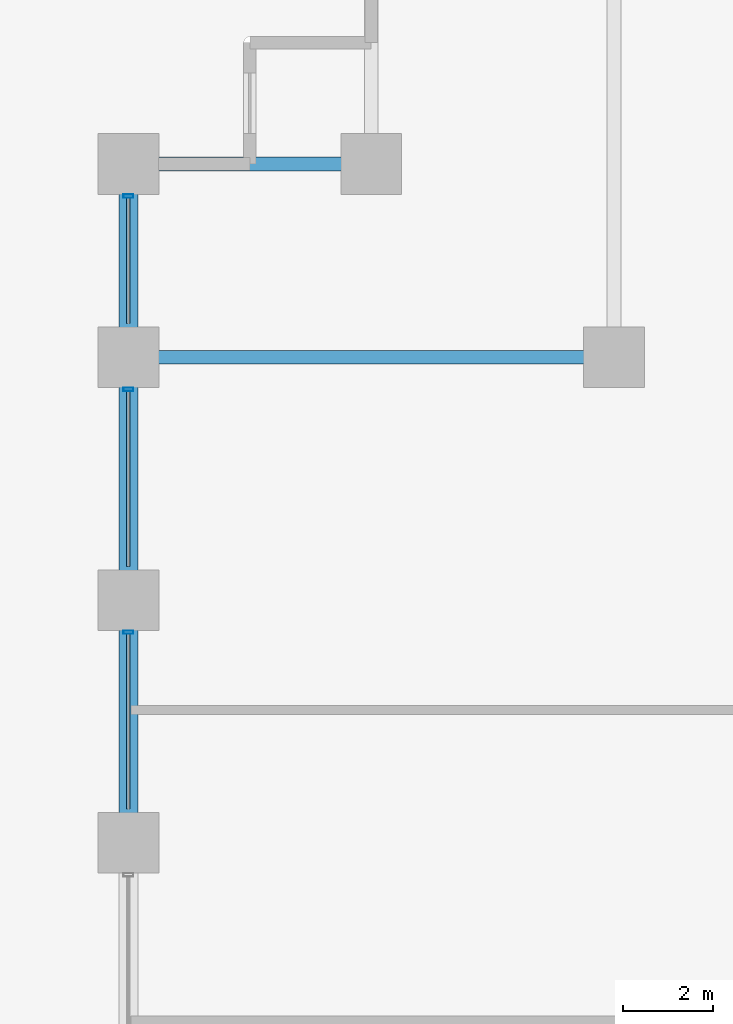
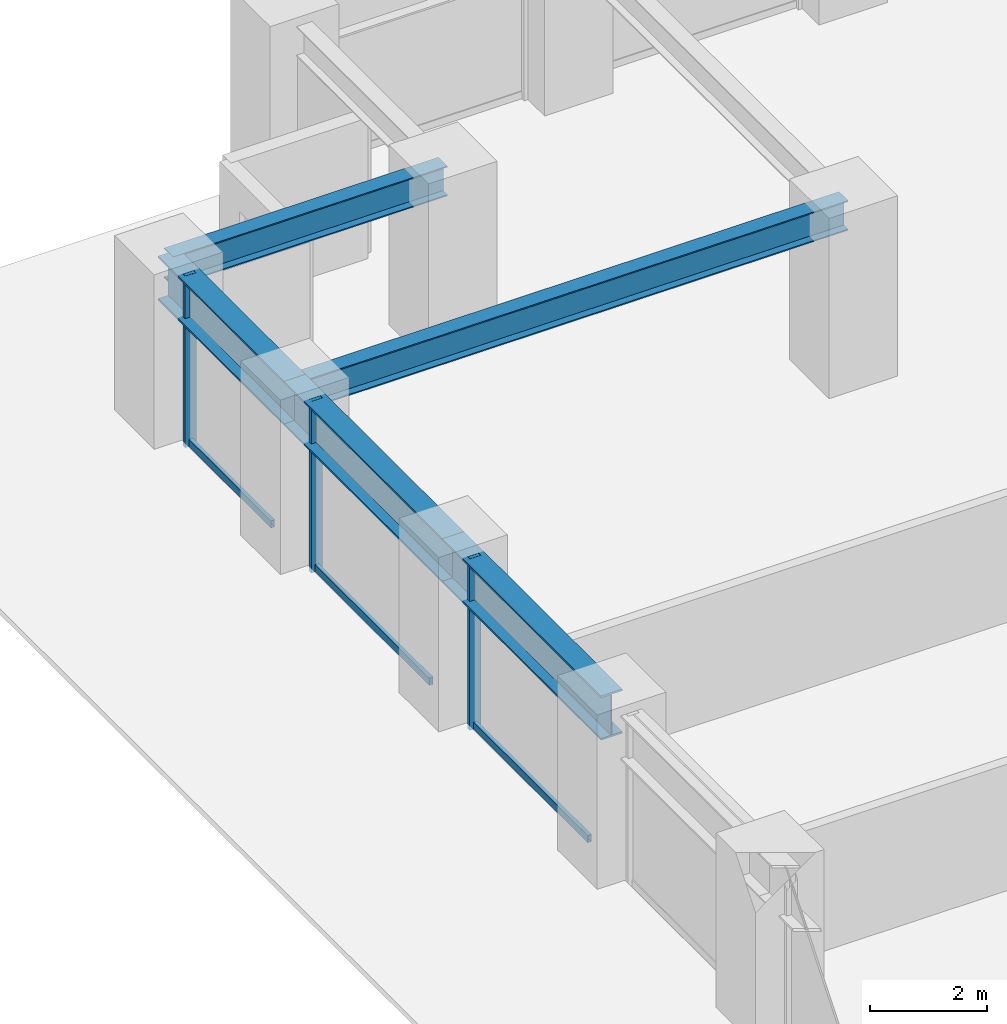
# One storey, part 10 of 27: 6 members, 5 beams, 1 element without a shape of its own.
"""IFC4 building model written with IfcOpenShell, lengths in metres."""

from ifc_helpers import new_model, si_unit, direction, frame, origin, origin_2d, place, context, subcontext, project, spatial, hollow_rectangle, i_section, extrude, material, layer, layer_set, material_profile, profile_set, type_object, element, aggregate, save


model = new_model("IFC4")

# Units and contexts
model_context = context("Model", 3, precision=1e-05, world=origin(), true_north=direction((0.0, 1.0)))
body_context = subcontext(model_context, "Body", "Model", "MODEL_VIEW")
ifc_project = project(units=[si_unit("LENGTHUNIT", "METRE"), si_unit("AREAUNIT", "SQUARE_METRE"), si_unit("VOLUMEUNIT", "CUBIC_METRE"), si_unit("PLANEANGLEUNIT", "RADIAN"), si_unit("MASSUNIT", "GRAM", prefix="KILO")], contexts=[model_context])

# Site, building, storey
site_placement = place(None, origin())
site = spatial("IfcSite", under=ifc_project, at=site_placement, CompositionType="ELEMENT")
building_placement = place(site_placement, origin())
building = spatial("IfcBuilding", under=site, at=building_placement, Name="Surkhivell Harbour Commons", CompositionType="ELEMENT")
storey_placement = place(building_placement, frame((0.0, 0.0, 22.5)))
storey = spatial("IfcBuildingStorey", under=building, at=storey_placement, Name="L05", CompositionType="ELEMENT", Elevation=22.5)

# Beams
ifc_material_1 = material(Name="Steel S355", Category="steel")
ifc_material_profile_1 = material_profile(ifc_material_1, i_section(OverallWidth=0.306884765625, OverallDepth=0.6201171875, WebThickness=0.01416015625, FlangeThickness=0.023681640625, at=origin_2d()), Name="UB610x305x179")
ifc_profile_set_1 = profile_set([ifc_material_profile_1], Name="Steel S355")
beam_type_1 = type_object("IfcBeamType", Name="BM-GRD-610A", PredefinedType="BEAM", material=ifc_profile_set_1)
beam_1_placement = place(storey_placement, frame((-32.39990234375, 16.199951171875, 3.260009765625), z_axis=(1.0, 0.0, 0.0), x_axis=(0.0, 1.0, 0.0)))
element("IfcBeam", 1, at=beam_1_placement, inside=storey, type_object=beam_type_1, Name="L05 Floor Girder (-32.4,16.2)", PredefinedType="BEAM", context=body_context, shape_type="SweptSolid", body=[
    extrude(i_section(OverallWidth=0.306884765625, OverallDepth=0.6201171875, WebThickness=0.01416015625, FlangeThickness=0.023681640625, at=origin_2d()), origin(), (0.0, 0.0, 1.0), 10.7998046875),
])
beam_2_placement = place(storey_placement, frame((-32.39990234375, 20.5, 3.260009765625), z_axis=(1.0, 0.0, 0.0), x_axis=(0.0, 1.0, 0.0)))
element("IfcBeam", 2, at=beam_2_placement, inside=storey, type_object=beam_type_1, Name="L05 Floor Girder (-32.4,20.5)", PredefinedType="BEAM", context=body_context, shape_type="SweptSolid", body=[
    extrude(i_section(OverallWidth=0.306884765625, OverallDepth=0.6201171875, WebThickness=0.01416015625, FlangeThickness=0.023681640625, at=origin_2d()), origin(), (0.0, 0.0, 1.0), 5.39990234375),
])
ifc_material_2 = material(Name="Steel S460", Category="steel")
ifc_material_profile_2 = material_profile(ifc_material_2, i_section(OverallWidth=0.419921875, OverallDepth=0.9208984375, WebThickness=0.021484375, FlangeThickness=0.03662109375, at=origin_2d()), Name="UB914x419x388")
ifc_profile_set_2 = profile_set([ifc_material_profile_2], Name="Steel S460")
beam_type_2 = type_object("IfcBeamType", Name="BM-SPN-914A", PredefinedType="SPANDREL", material=ifc_profile_set_2)
beam_3_placement = place(storey_placement, frame((-32.39990234375, 5.39990234375, 3.109619140625), z_axis=(0.0, 1.0, 0.0), x_axis=(-1.0, 0.0, 0.0)))
element("IfcBeam", 3, at=beam_3_placement, inside=storey, type_object=beam_type_2, Name="L05 Tube Spandrel (-32.4,5.4)", PredefinedType="SPANDREL", context=body_context, shape_type="SweptSolid", body=[
    extrude(i_section(OverallWidth=0.419921875, OverallDepth=0.9208984375, WebThickness=0.021484375, FlangeThickness=0.03662109375, at=origin_2d()), origin(), (0.0, 0.0, 1.0), 5.400146484375),
])
beam_4_placement = place(storey_placement, frame((-32.39990234375, 10.800048828125, 3.109619140625), z_axis=(0.0, 1.0, 0.0), x_axis=(-1.0, 0.0, 0.0)))
element("IfcBeam", 4, at=beam_4_placement, inside=storey, type_object=beam_type_2, Name="L05 Tube Spandrel (-32.4,10.8)", PredefinedType="SPANDREL", context=body_context, shape_type="SweptSolid", body=[
    extrude(i_section(OverallWidth=0.419921875, OverallDepth=0.9208984375, WebThickness=0.021484375, FlangeThickness=0.03662109375, at=origin_2d()), origin(), (0.0, 0.0, 1.0), 5.39990234375),
])
beam_5_placement = place(storey_placement, frame((-32.39990234375, 16.199951171875, 3.109619140625), z_axis=(0.0, 1.0, 0.0), x_axis=(-1.0, 0.0, 0.0)))
element("IfcBeam", 5, at=beam_5_placement, inside=storey, type_object=beam_type_2, Name="L05 Tube Spandrel (-32.4,16.2)", PredefinedType="SPANDREL", context=body_context, shape_type="SweptSolid", body=[
    extrude(i_section(OverallWidth=0.419921875, OverallDepth=0.9208984375, WebThickness=0.021484375, FlangeThickness=0.03662109375, at=origin_2d()), origin(), (0.0, 0.0, 1.0), 4.300048828125),
])

# Curtain wall, members
ifc_material_3 = material(Name="Anodised pale-metal aluminium and insulated glazing", Category="aluminium")
ifc_layer = layer(ifc_material_3, 0.219970703125)
ifc_layer_set = layer_set([ifc_layer], Name="Anodised pale-metal aluminium and insulated glazing")
curtain_wall_type = type_object("IfcCurtainWallType", Name="CW-SYS-Z1", PredefinedType="NOTDEFINED", material=ifc_layer_set)
curtain_wall_placement = place(storey_placement, origin())
curtain_wall = element("IfcCurtainWall", 6, at=curtain_wall_placement, inside=storey, type_object=curtain_wall_type, Name="L05 Curtain Wall CW-L05-E12S1", PredefinedType="NOTDEFINED")
ifc_material_4 = material(Name="Anodised pale-metal aluminium alloy 6063-T6", Category="aluminium")
ifc_material_profile_3 = material_profile(ifc_material_4, hollow_rectangle(XDim=0.074951171875, YDim=0.219970703125, WallThickness=0.00390625, at=origin_2d()), Name="ALU-MULL-75x220")
ifc_profile_set_3 = profile_set([ifc_material_profile_3], Name="Anodised pale-metal aluminium alloy 6063-T6")
member_type_1 = type_object("IfcMemberType", Name="CWM-220", PredefinedType="MULLION", material=ifc_profile_set_3)
member_1_placement = place(storey_placement, frame((-32.39990234375, 19.785400390625, 0.0), z_axis=(0.0, 0.0, 1.0), x_axis=(0.0, -1.0, 0.0)))
member_1 = element("IfcMember", 7, at=member_1_placement, type_object=member_type_1, Name="CW-Z1 mullion 1", PredefinedType="MULLION", context=body_context, shape_type="SweptSolid", body=[
    extrude(hollow_rectangle(XDim=0.074951171875, YDim=0.219970703125, WallThickness=0.00390625, at=origin_2d()), origin(), (0.0, 0.0, 1.0), 3.570068359375),
])
member_2_placement = place(storey_placement, frame((-32.39990234375, 15.485595703125, 0.0), z_axis=(0.0, 0.0, 1.0), x_axis=(0.0, -1.0, 0.0)))
member_2 = element("IfcMember", 8, at=member_2_placement, type_object=member_type_1, Name="CW-Z1 mullion 2", PredefinedType="MULLION", context=body_context, shape_type="SweptSolid", body=[
    extrude(hollow_rectangle(XDim=0.074951171875, YDim=0.219970703125, WallThickness=0.00390625, at=origin_2d()), origin(), (0.0, 0.0, 1.0), 3.570068359375),
])
member_3_placement = place(storey_placement, frame((-32.39990234375, 10.08544921875, 0.0), z_axis=(0.0, 0.0, 1.0), x_axis=(0.0, -1.0, 0.0)))
member_3 = element("IfcMember", 9, at=member_3_placement, type_object=member_type_1, Name="CW-Z1 mullion 3", PredefinedType="MULLION", context=body_context, shape_type="SweptSolid", body=[
    extrude(hollow_rectangle(XDim=0.074951171875, YDim=0.219970703125, WallThickness=0.00390625, at=origin_2d()), origin(), (0.0, 0.0, 1.0), 3.570068359375),
])
ifc_material_profile_4 = material_profile(ifc_material_4, hollow_rectangle(XDim=0.074951171875, YDim=0.14990234375, WallThickness=0.00341796875, at=origin_2d()), Name="ALU-TRAN-75x150")
ifc_profile_set_4 = profile_set([ifc_material_profile_4], Name="Anodised pale-metal aluminium alloy 6063-T6")
member_type_2 = type_object("IfcMemberType", Name="CWT-150", PredefinedType="USERDEFINED", material=ifc_profile_set_4)
member_4_placement = place(storey_placement, frame((-32.39990234375, 19.748046875, 0.074951171875), z_axis=(0.0, -1.0, 0.0), x_axis=(1.0, 0.0, 0.0)))
member_4 = element("IfcMember", 10, at=member_4_placement, type_object=member_type_2, Name="CW-Z1 transom 1.1", ObjectType="TRANSOM", PredefinedType="USERDEFINED", context=body_context, shape_type="SweptSolid", body=[
    extrude(hollow_rectangle(XDim=0.074951171875, YDim=0.14990234375, WallThickness=0.00341796875, at=origin_2d()), origin(), (0.0, 0.0, 1.0), 2.796142578125),
])
member_5_placement = place(storey_placement, frame((-32.39990234375, 15.447998046875, 0.074951171875), z_axis=(0.0, -1.0, 0.0), x_axis=(1.0, 0.0, 0.0)))
member_5 = element("IfcMember", 11, at=member_5_placement, type_object=member_type_2, Name="CW-Z1 transom 2.1", ObjectType="TRANSOM", PredefinedType="USERDEFINED", context=body_context, shape_type="SweptSolid", body=[
    extrude(hollow_rectangle(XDim=0.074951171875, YDim=0.14990234375, WallThickness=0.00341796875, at=origin_2d()), origin(), (0.0, 0.0, 1.0), 3.89599609375),
])
member_6_placement = place(storey_placement, frame((-32.39990234375, 10.048095703125, 0.074951171875), z_axis=(0.0, -1.0, 0.0), x_axis=(1.0, 0.0, 0.0)))
member_6 = element("IfcMember", 12, at=member_6_placement, type_object=member_type_2, Name="CW-Z1 transom 3.1", ObjectType="TRANSOM", PredefinedType="USERDEFINED", context=body_context, shape_type="SweptSolid", body=[
    extrude(hollow_rectangle(XDim=0.074951171875, YDim=0.14990234375, WallThickness=0.00341796875, at=origin_2d()), origin(), (0.0, 0.0, 1.0), 3.89599609375),
])
aggregate(curtain_wall, [member_1, member_4, member_2, member_5, member_3, member_6])

save(model, "model.ifc")
